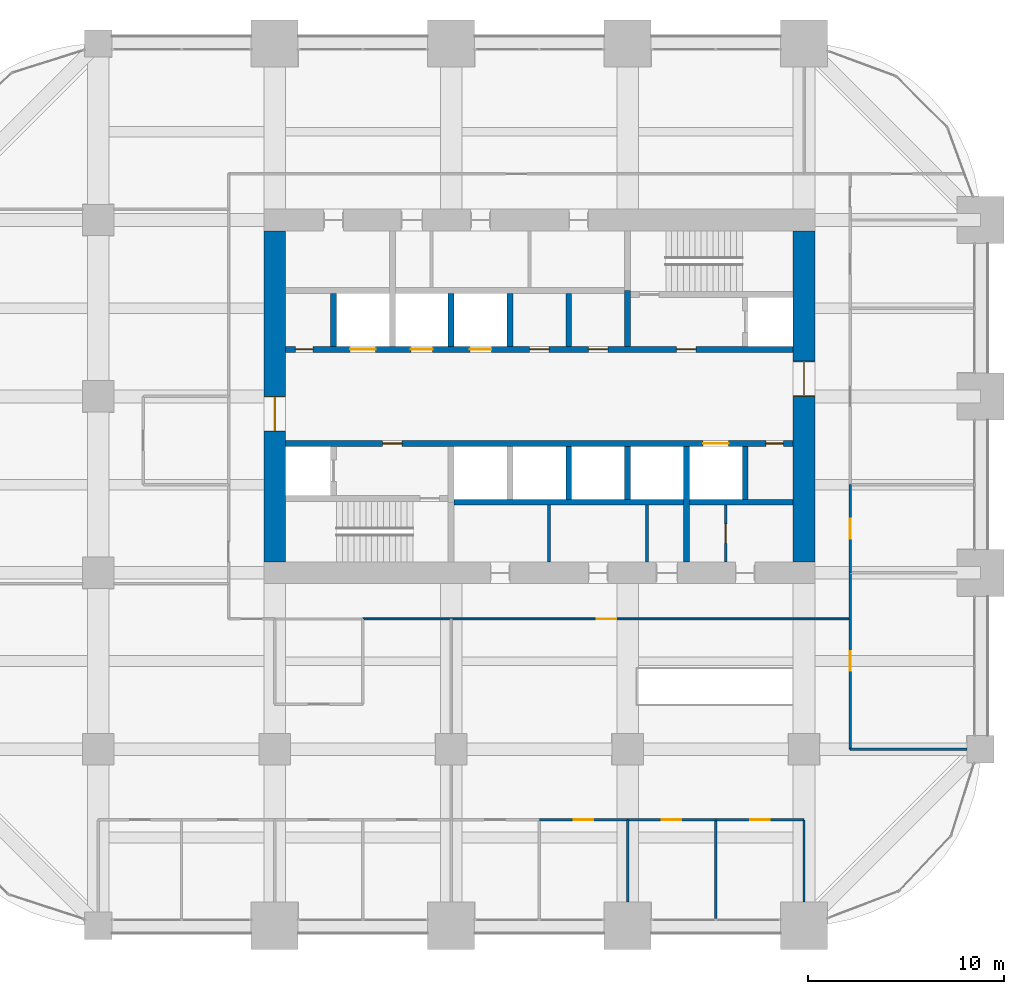
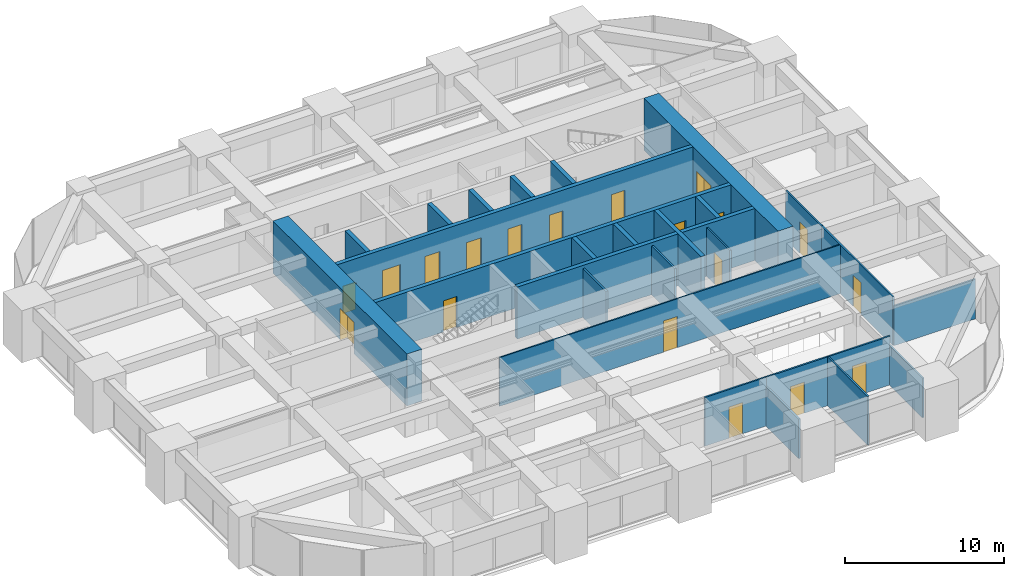
# One storey, part 30 of 33: 27 walls, 19 doors, 19 openings.
"""IFC4 building model written with IfcOpenShell, lengths in metres."""

from ifc_helpers import new_model, si_unit, direction, frame, frame_2d, origin, place, context, subcontext, project, spatial, rectangle, extrude, material, layer, layer_set, type_object, element, fill, save


model = new_model("IFC4")

# Units and contexts
model_context = context("Model", 3, precision=1e-05, world=origin(), true_north=direction((0.0, 1.0)))
body_context = subcontext(model_context, "Body", "Model", "MODEL_VIEW")
ifc_project = project(units=[si_unit("LENGTHUNIT", "METRE"), si_unit("AREAUNIT", "SQUARE_METRE"), si_unit("VOLUMEUNIT", "CUBIC_METRE"), si_unit("PLANEANGLEUNIT", "RADIAN"), si_unit("MASSUNIT", "GRAM", prefix="KILO")], contexts=[model_context])

# Site, building, storey
site_placement = place(None, origin())
site = spatial("IfcSite", under=ifc_project, at=site_placement, CompositionType="ELEMENT")
building_placement = place(site_placement, origin())
building = spatial("IfcBuilding", under=site, at=building_placement, Name="Zorevar Civic Tower", CompositionType="ELEMENT")
storey_placement = place(building_placement, frame((0.0, 0.0, 178.199951171875)))
storey = spatial("IfcBuildingStorey", under=building, at=storey_placement, Name="L43", CompositionType="ELEMENT", Elevation=178.199951171875)

# Wall, opening, door
ifc_material_1 = material(Name="Concrete C50/60", Category="concrete")
ifc_layer_1 = layer(ifc_material_1, 1.10009765625)
ifc_layer_set_1 = layer_set([ifc_layer_1], Name="Core wall 1100")
wall_type_1 = type_object("IfcWallType", Name="Core wall 1100", PredefinedType="SHEAR", material=ifc_layer_set_1)
wall_1_placement = place(storey_placement, frame((18.0, 35.449951171875, 0.0), z_axis=(0.0, 0.0, 1.0), x_axis=(0.0, -1.0, 0.0)))
wall_1 = element("IfcWall", 1, at=wall_1_placement, inside=storey, type_object=wall_type_1, Name="Core wall W L43", PredefinedType="SHEAR", context=body_context, shape_type="SweptSolid", body=[
    extrude(rectangle(XDim=16.89990234375, YDim=1.10009765625, at=frame_2d((8.449951171875, 0.0))), origin(), (0.0, 0.0, 1.0), 4.0),
])
opening_1_placement = place(wall_1_placement, frame((8.449951171875, 0.0, 0.0)))
opening_1 = element("IfcOpeningElement", 2, at=opening_1_placement, cuts=wall_1, Name="Opening L43.01", PredefinedType="OPENING", context=body_context, shape_type="SweptSolid", body=[
    extrude(rectangle(XDim=1.800048828125, YDim=2.39990234375, at=frame_2d((0.89990234375, 1.199951171875))), frame((0.0, 0.56005859375, 0.0), z_axis=(0.0, -1.0, 0.0), x_axis=(1.0, 0.0, 0.0)), (0.0, 0.0, 1.0), 1.1201171875),
])
ifc_material_2 = material(Name="Steel door set", Category="steel")
door_type_1 = type_object("IfcDoorType", Name="Fire door FD2 1800x2400", OperationType="DOUBLE_DOOR_DOUBLE_SWING", PredefinedType="DOOR", material=ifc_material_2)
door_1_placement = place(opening_1_placement, origin())
door_1 = element("IfcDoor", 3, at=door_1_placement, inside=storey, type_object=door_type_1, Name="Door L43 00", OperationType="DOUBLE_DOOR_DOUBLE_SWING", OverallHeight=2.39990234375, OverallWidth=1.800048828125, PredefinedType="DOOR", context=body_context, shape_type="SweptSolid", body=[
    extrude(rectangle(XDim=1.800048828125, YDim=2.39990234375, at=frame_2d((0.89990234375, 1.199951171875))), frame((0.0, 0.030029296875, 0.0), z_axis=(0.0, -1.0, 0.0), x_axis=(1.0, 0.0, 0.0)), (0.0, 0.0, 1.0), 0.06005859375),
    extrude(rectangle(XDim=0.04, YDim=2.39990234375, at=frame_2d((0.02001953125, 1.199951171875))), frame((0.0, 0.5498046875, 0.0), z_axis=(0.0, -1.0, 0.0), x_axis=(1.0, 0.0, 0.0)), (0.0, 0.0, 1.0), 1.099609375),
    extrude(rectangle(XDim=0.04, YDim=2.39990234375, at=frame_2d((1.780029296875, 1.199951171875))), frame((0.0, 0.5498046875, 0.0), z_axis=(0.0, -1.0, 0.0), x_axis=(1.0, 0.0, 0.0)), (0.0, 0.0, 1.0), 1.099609375),
    extrude(rectangle(XDim=1.800048828125, YDim=0.04, at=frame_2d((0.89990234375, 2.3798828125))), frame((0.0, 0.5498046875, 0.0), z_axis=(0.0, -1.0, 0.0), x_axis=(1.0, 0.0, 0.0)), (0.0, 0.0, 1.0), 1.099609375),
])
fill(opening_1, door_1)

wall_2_placement = place(storey_placement, frame((45.0, 18.550048828125, 0.0), z_axis=(0.0, 0.0, 1.0), x_axis=(0.0, 1.0, 0.0)))
wall_2 = element("IfcWall", 4, at=wall_2_placement, inside=storey, type_object=wall_type_1, Name="Core wall E L43", PredefinedType="SHEAR", context=body_context, shape_type="SweptSolid", body=[
    extrude(rectangle(XDim=16.89990234375, YDim=1.10009765625, at=frame_2d((8.449951171875, 0.0))), origin(), (0.0, 0.0, 1.0), 4.0),
])
opening_2_placement = place(wall_2_placement, frame((8.449951171875, 0.0, 0.0)))
opening_2 = element("IfcOpeningElement", 5, at=opening_2_placement, cuts=wall_2, Name="Opening L43.02", PredefinedType="OPENING", context=body_context, shape_type="SweptSolid", body=[
    extrude(rectangle(XDim=1.800048828125, YDim=2.39990234375, at=frame_2d((0.89990234375, 1.199951171875))), frame((0.0, 0.56005859375, 0.0), z_axis=(0.0, -1.0, 0.0), x_axis=(1.0, 0.0, 0.0)), (0.0, 0.0, 1.0), 1.1201171875),
])
door_2_placement = place(opening_2_placement, origin())
door_2 = element("IfcDoor", 6, at=door_2_placement, inside=storey, type_object=door_type_1, Name="Door L43 01", OperationType="DOUBLE_DOOR_DOUBLE_SWING", OverallHeight=2.39990234375, OverallWidth=1.800048828125, PredefinedType="DOOR", context=body_context, shape_type="SweptSolid", body=[
    extrude(rectangle(XDim=1.800048828125, YDim=2.39990234375, at=frame_2d((0.89990234375, 1.199951171875))), frame((0.0, 0.030029296875, 0.0), z_axis=(0.0, -1.0, 0.0), x_axis=(1.0, 0.0, 0.0)), (0.0, 0.0, 1.0), 0.06005859375),
    extrude(rectangle(XDim=0.04, YDim=2.39990234375, at=frame_2d((0.02001953125, 1.199951171875))), frame((0.0, 0.5498046875, 0.0), z_axis=(0.0, -1.0, 0.0), x_axis=(1.0, 0.0, 0.0)), (0.0, 0.0, 1.0), 1.099609375),
    extrude(rectangle(XDim=0.04, YDim=2.39990234375, at=frame_2d((1.780029296875, 1.199951171875))), frame((0.0, 0.5498046875, 0.0), z_axis=(0.0, -1.0, 0.0), x_axis=(1.0, 0.0, 0.0)), (0.0, 0.0, 1.0), 1.099609375),
    extrude(rectangle(XDim=1.800048828125, YDim=0.04, at=frame_2d((0.89990234375, 2.3798828125))), frame((0.0, 0.5498046875, 0.0), z_axis=(0.0, -1.0, 0.0), x_axis=(1.0, 0.0, 0.0)), (0.0, 0.0, 1.0), 1.099609375),
])
fill(opening_2, door_2)

ifc_material_3 = material(Name="Laminated glass in black aluminium frame", Category="aluminium")
ifc_layer_2 = layer(ifc_material_3, 0.10009765625)
ifc_layer_set_2 = layer_set([ifc_layer_2], Name="Glazed partition 100")
wall_type_2 = type_object("IfcWallType", Name="Glazed partition 100", PredefinedType="PARTITIONING", material=ifc_layer_set_2)
wall_3_placement = place(storey_placement, frame((22.5, 15.64990234375, 0.0), z_axis=(0.0, 0.0, 1.0), x_axis=(1.0, 0.0, 0.0)))
wall_3 = element("IfcWall", 7, at=wall_3_placement, inside=storey, type_object=wall_type_2, Name="Glazed partition 100 L43", PredefinedType="PARTITIONING", context=body_context, shape_type="SweptSolid", body=[
    extrude(rectangle(XDim=24.85009765625, YDim=0.10009765625, at=frame_2d((12.425048828125, 0.0))), origin(), (0.0, 0.0, 1.0), 3.75),
])
opening_3_placement = place(wall_3_placement, frame((11.925048828125, 0.0, 0.0)))
opening_3 = element("IfcOpeningElement", 8, at=opening_3_placement, cuts=wall_3, Name="Opening L43.27", PredefinedType="OPENING", context=body_context, shape_type="SweptSolid", body=[
    extrude(rectangle(XDim=1.0, YDim=2.39990234375, at=frame_2d((0.5, 1.199951171875))), frame((0.0, 0.06005859375, 0.0), z_axis=(0.0, -1.0, 0.0), x_axis=(1.0, 0.0, 0.0)), (0.0, 0.0, 1.0), 0.1201171875),
])
ifc_material_4 = material(Name="Timber door set", Category="wood")
door_type_2 = type_object("IfcDoorType", Name="Glazed door GD1 1000x2400", OperationType="SINGLE_SWING_LEFT", PredefinedType="DOOR", material=ifc_material_4)
door_3_placement = place(opening_3_placement, origin())
door_3 = element("IfcDoor", 9, at=door_3_placement, inside=storey, type_object=door_type_2, Name="Door L43 D1", OperationType="SINGLE_SWING_LEFT", OverallHeight=2.39990234375, OverallWidth=1.0, PredefinedType="DOOR", context=body_context, shape_type="SweptSolid", body=[
    extrude(rectangle(XDim=1.0, YDim=2.39990234375, at=frame_2d((0.5, 1.199951171875))), frame((0.0, 0.02001953125, 0.0), z_axis=(0.0, -1.0, 0.0), x_axis=(1.0, 0.0, 0.0)), (0.0, 0.0, 1.0), 0.0400390625),
])
fill(opening_3, door_3)

# Wall, openings, doors
ifc_material_5 = material(Name="Concrete C40/50", Category="concrete")
ifc_layer_3 = layer(ifc_material_5, 0.300048828125)
ifc_layer_set_3 = layer_set([ifc_layer_3], Name="Inner core wall 300")
wall_type_3 = type_object("IfcWallType", Name="Inner core wall 300", PredefinedType="SHEAR", material=ifc_layer_set_3)
wall_4_placement = place(storey_placement, frame((18.550048828125, 24.60009765625, 0.0), z_axis=(0.0, 0.0, 1.0), x_axis=(1.0, 0.0, 0.0)))
wall_4 = element("IfcWall", 10, at=wall_4_placement, inside=storey, type_object=wall_type_3, Name="Inner core wall S03 L43", PredefinedType="SHEAR", context=body_context, shape_type="SweptSolid", body=[
    extrude(rectangle(XDim=25.89990234375, YDim=0.300048828125, at=frame_2d((12.949951171875, 0.0))), origin(), (0.0, 0.0, 1.0), 4.0),
])
opening_4_placement = place(wall_4_placement, frame((4.949951171875, 0.0, 0.0)))
opening_4 = element("IfcOpeningElement", 11, at=opening_4_placement, cuts=wall_4, Name="Opening L43.13", PredefinedType="OPENING", context=body_context, shape_type="SweptSolid", body=[
    extrude(rectangle(XDim=1.0, YDim=2.39990234375, at=frame_2d((0.5, 1.199951171875))), frame((0.0, 0.159912109375, 0.0), z_axis=(0.0, -1.0, 0.0), x_axis=(1.0, 0.0, 0.0)), (0.0, 0.0, 1.0), 0.320068359375),
])
opening_5_placement = place(wall_4_placement, frame((24.5, 0.0, 0.0)))
opening_5 = element("IfcOpeningElement", 12, at=opening_5_placement, cuts=wall_4, Name="Opening L43.15", PredefinedType="OPENING", context=body_context, shape_type="SweptSolid", body=[
    extrude(rectangle(XDim=0.89990234375, YDim=2.10009765625, at=frame_2d((0.449951171875, 1.050048828125))), frame((0.0, 0.159912109375, 0.0), z_axis=(0.0, -1.0, 0.0), x_axis=(1.0, 0.0, 0.0)), (0.0, 0.0, 1.0), 0.320068359375),
])
opening_6_placement = place(wall_4_placement, frame((21.300048828125, 0.0, 0.0)))
opening_6 = element("IfcOpeningElement", 13, at=opening_6_placement, cuts=wall_4, Name="Opening L43.SL1", PredefinedType="OPENING", context=body_context, shape_type="SweptSolid", body=[
    extrude(rectangle(XDim=1.300048828125, YDim=2.39990234375, at=frame_2d((0.64990234375, 1.199951171875))), frame((0.0, 0.159912109375, 0.0), z_axis=(0.0, -1.0, 0.0), x_axis=(1.0, 0.0, 0.0)), (0.0, 0.0, 1.0), 0.320068359375),
])
ifc_material_6 = material(Name="Steel door set", Category="steel")
door_type_3 = type_object("IfcDoorType", Name="Fire door FD1 1000x2400", OperationType="SINGLE_SWING_LEFT", PredefinedType="DOOR", material=ifc_material_6)
door_4_placement = place(opening_4_placement, origin())
door_4 = element("IfcDoor", 14, at=door_4_placement, inside=storey, type_object=door_type_3, Name="Door L43 12", OperationType="SINGLE_SWING_RIGHT", OverallHeight=2.39990234375, OverallWidth=1.0, PredefinedType="DOOR", context=body_context, shape_type="SweptSolid", body=[
    extrude(rectangle(XDim=1.0, YDim=2.39990234375, at=frame_2d((0.5, 1.199951171875))), frame((0.0, 0.030029296875, 0.0), z_axis=(0.0, -1.0, 0.0), x_axis=(1.0, 0.0, 0.0)), (0.0, 0.0, 1.0), 0.06005859375),
])
fill(opening_4, door_4)
ifc_material_7 = material(Name="Steel door set", Category="steel")
door_type_4 = type_object("IfcDoorType", Name="Landing door LD2 1300x2400", OperationType="DOUBLE_DOOR_SLIDING", PredefinedType="DOOR", material=ifc_material_7)
door_5_placement = place(opening_6_placement, origin())
door_5 = element("IfcDoor", 15, at=door_5_placement, inside=storey, type_object=door_type_4, Name="Landing door SL1 L43", OperationType="DOUBLE_DOOR_SLIDING", OverallHeight=2.39990234375, OverallWidth=1.300048828125, PredefinedType="DOOR", context=body_context, shape_type="SweptSolid", body=[
    extrude(rectangle(XDim=1.300048828125, YDim=2.39990234375, at=frame_2d((0.64990234375, 1.199951171875))), frame((0.0, 0.02001953125, 0.0), z_axis=(0.0, -1.0, 0.0), x_axis=(1.0, 0.0, 0.0)), (0.0, 0.0, 1.0), 0.0400390625),
])
fill(opening_6, door_5)
ifc_material_8 = material(Name="Steel door set", Category="steel")
door_type_5 = type_object("IfcDoorType", Name="Riser door RD1 900x2100", OperationType="SINGLE_SWING_LEFT", PredefinedType="DOOR", material=ifc_material_8)
door_6_placement = place(opening_5_placement, origin())
door_6 = element("IfcDoor", 16, at=door_6_placement, inside=storey, type_object=door_type_5, Name="Door L43 14", OperationType="SINGLE_SWING_RIGHT", OverallHeight=2.10009765625, OverallWidth=0.89990234375, PredefinedType="DOOR", context=body_context, shape_type="SweptSolid", body=[
    extrude(rectangle(XDim=0.89990234375, YDim=2.10009765625, at=frame_2d((0.449951171875, 1.050048828125))), frame((0.0, 0.030029296875, 0.0), z_axis=(0.0, -1.0, 0.0), x_axis=(1.0, 0.0, 0.0)), (0.0, 0.0, 1.0), 0.06005859375),
])
fill(opening_5, door_6)

wall_5_placement = place(storey_placement, frame((18.550048828125, 29.39990234375, 0.0), z_axis=(0.0, 0.0, 1.0), x_axis=(1.0, 0.0, 0.0)))
wall_5 = element("IfcWall", 17, at=wall_5_placement, inside=storey, type_object=wall_type_3, Name="Inner core wall N03 L43", PredefinedType="SHEAR", context=body_context, shape_type="SweptSolid", body=[
    extrude(rectangle(XDim=25.89990234375, YDim=0.300048828125, at=frame_2d((12.949951171875, 0.0))), origin(), (0.0, 0.0, 1.0), 4.0),
])
opening_7_placement = place(wall_5_placement, frame((19.949951171875, 0.0, 0.0)))
opening_7 = element("IfcOpeningElement", 18, at=opening_7_placement, cuts=wall_5, Name="Opening L43.14", PredefinedType="OPENING", context=body_context, shape_type="SweptSolid", body=[
    extrude(rectangle(XDim=1.0, YDim=2.39990234375, at=frame_2d((0.5, 1.199951171875))), frame((0.0, 0.159912109375, 0.0), z_axis=(0.0, -1.0, 0.0), x_axis=(1.0, 0.0, 0.0)), (0.0, 0.0, 1.0), 0.320068359375),
])
opening_8_placement = place(wall_5_placement, frame((0.5, 0.0, 0.0)))
opening_8 = element("IfcOpeningElement", 19, at=opening_8_placement, cuts=wall_5, Name="Opening L43.16", PredefinedType="OPENING", context=body_context, shape_type="SweptSolid", body=[
    extrude(rectangle(XDim=0.89990234375, YDim=2.10009765625, at=frame_2d((0.449951171875, 1.050048828125))), frame((0.0, 0.159912109375, 0.0), z_axis=(0.0, -1.0, 0.0), x_axis=(1.0, 0.0, 0.0)), (0.0, 0.0, 1.0), 0.320068359375),
])
opening_9_placement = place(wall_5_placement, frame((15.449951171875, 0.0, 0.0)))
opening_9 = element("IfcOpeningElement", 20, at=opening_9_placement, cuts=wall_5, Name="Opening L43.38", PredefinedType="OPENING", context=body_context, shape_type="SweptSolid", body=[
    extrude(rectangle(XDim=1.0, YDim=2.39990234375, at=frame_2d((0.5, 1.199951171875))), frame((0.0, 0.159912109375, 0.0), z_axis=(0.0, -1.0, 0.0), x_axis=(1.0, 0.0, 0.0)), (0.0, 0.0, 1.0), 0.320068359375),
])
opening_10_placement = place(wall_5_placement, frame((12.449951171875, 0.0, 0.0)))
opening_10 = element("IfcOpeningElement", 21, at=opening_10_placement, cuts=wall_5, Name="Opening L43.39", PredefinedType="OPENING", context=body_context, shape_type="SweptSolid", body=[
    extrude(rectangle(XDim=1.0, YDim=2.39990234375, at=frame_2d((0.5, 1.199951171875))), frame((0.0, 0.159912109375, 0.0), z_axis=(0.0, -1.0, 0.0), x_axis=(1.0, 0.0, 0.0)), (0.0, 0.0, 1.0), 0.320068359375),
])
opening_11_placement = place(wall_5_placement, frame((9.39990234375, 0.0, 0.0)))
opening_11 = element("IfcOpeningElement", 22, at=opening_11_placement, cuts=wall_5, Name="Opening L43.LH1", PredefinedType="OPENING", context=body_context, shape_type="SweptSolid", body=[
    extrude(rectangle(XDim=1.10009765625, YDim=2.39990234375, at=frame_2d((0.550048828125, 1.199951171875))), frame((0.0, 0.159912109375, 0.0), z_axis=(0.0, -1.0, 0.0), x_axis=(1.0, 0.0, 0.0)), (0.0, 0.0, 1.0), 0.320068359375),
])
opening_12_placement = place(wall_5_placement, frame((6.39990234375, 0.0, 0.0)))
opening_12 = element("IfcOpeningElement", 23, at=opening_12_placement, cuts=wall_5, Name="Opening L43.LH2", PredefinedType="OPENING", context=body_context, shape_type="SweptSolid", body=[
    extrude(rectangle(XDim=1.10009765625, YDim=2.39990234375, at=frame_2d((0.550048828125, 1.199951171875))), frame((0.0, 0.159912109375, 0.0), z_axis=(0.0, -1.0, 0.0), x_axis=(1.0, 0.0, 0.0)), (0.0, 0.0, 1.0), 0.320068359375),
])
opening_13_placement = place(wall_5_placement, frame((3.300048828125, 0.0, 0.0)))
opening_13 = element("IfcOpeningElement", 24, at=opening_13_placement, cuts=wall_5, Name="Opening L43.SL2", PredefinedType="OPENING", context=body_context, shape_type="SweptSolid", body=[
    extrude(rectangle(XDim=1.300048828125, YDim=2.39990234375, at=frame_2d((0.64990234375, 1.199951171875))), frame((0.0, 0.159912109375, 0.0), z_axis=(0.0, -1.0, 0.0), x_axis=(1.0, 0.0, 0.0)), (0.0, 0.0, 1.0), 0.320068359375),
])
door_7_placement = place(opening_7_placement, origin())
door_7 = element("IfcDoor", 25, at=door_7_placement, inside=storey, type_object=door_type_3, Name="Door L43 13", OperationType="SINGLE_SWING_RIGHT", OverallHeight=2.39990234375, OverallWidth=1.0, PredefinedType="DOOR", context=body_context, shape_type="SweptSolid", body=[
    extrude(rectangle(XDim=1.0, YDim=2.39990234375, at=frame_2d((0.5, 1.199951171875))), frame((0.0, 0.030029296875, 0.0), z_axis=(0.0, -1.0, 0.0), x_axis=(1.0, 0.0, 0.0)), (0.0, 0.0, 1.0), 0.06005859375),
])
fill(opening_7, door_7)
door_8_placement = place(opening_9_placement, origin())
door_8 = element("IfcDoor", 26, at=door_8_placement, inside=storey, type_object=door_type_3, Name="Door L43 LM1 shaft room", OperationType="SINGLE_SWING_LEFT", OverallHeight=2.39990234375, OverallWidth=1.0, PredefinedType="DOOR", context=body_context, shape_type="SweptSolid", body=[
    extrude(rectangle(XDim=1.0, YDim=2.39990234375, at=frame_2d((0.5, 1.199951171875))), frame((0.0, 0.030029296875, 0.0), z_axis=(0.0, -1.0, 0.0), x_axis=(1.0, 0.0, 0.0)), (0.0, 0.0, 1.0), 0.06005859375),
])
fill(opening_9, door_8)
door_9_placement = place(opening_10_placement, origin())
door_9 = element("IfcDoor", 27, at=door_9_placement, inside=storey, type_object=door_type_3, Name="Door L43 LM2 shaft room", OperationType="SINGLE_SWING_RIGHT", OverallHeight=2.39990234375, OverallWidth=1.0, PredefinedType="DOOR", context=body_context, shape_type="SweptSolid", body=[
    extrude(rectangle(XDim=1.0, YDim=2.39990234375, at=frame_2d((0.5, 1.199951171875))), frame((0.0, 0.030029296875, 0.0), z_axis=(0.0, -1.0, 0.0), x_axis=(1.0, 0.0, 0.0)), (0.0, 0.0, 1.0), 0.06005859375),
])
fill(opening_10, door_9)
ifc_material_9 = material(Name="Steel door set", Category="steel")
door_type_6 = type_object("IfcDoorType", Name="Landing door LD1 1100x2400", OperationType="DOUBLE_DOOR_SLIDING", PredefinedType="DOOR", material=ifc_material_9)
door_10_placement = place(opening_11_placement, origin())
door_10 = element("IfcDoor", 28, at=door_10_placement, inside=storey, type_object=door_type_6, Name="Landing door LH1 L43", OperationType="DOUBLE_DOOR_SLIDING", OverallHeight=2.39990234375, OverallWidth=1.10009765625, PredefinedType="DOOR", context=body_context, shape_type="SweptSolid", body=[
    extrude(rectangle(XDim=1.10009765625, YDim=2.39990234375, at=frame_2d((0.550048828125, 1.199951171875))), frame((0.0, 0.02001953125, 0.0), z_axis=(0.0, -1.0, 0.0), x_axis=(1.0, 0.0, 0.0)), (0.0, 0.0, 1.0), 0.0400390625),
])
fill(opening_11, door_10)
door_11_placement = place(opening_12_placement, origin())
door_11 = element("IfcDoor", 29, at=door_11_placement, inside=storey, type_object=door_type_6, Name="Landing door LH2 L43", OperationType="DOUBLE_DOOR_SLIDING", OverallHeight=2.39990234375, OverallWidth=1.10009765625, PredefinedType="DOOR", context=body_context, shape_type="SweptSolid", body=[
    extrude(rectangle(XDim=1.10009765625, YDim=2.39990234375, at=frame_2d((0.550048828125, 1.199951171875))), frame((0.0, 0.02001953125, 0.0), z_axis=(0.0, -1.0, 0.0), x_axis=(1.0, 0.0, 0.0)), (0.0, 0.0, 1.0), 0.0400390625),
])
fill(opening_12, door_11)
door_12_placement = place(opening_13_placement, origin())
door_12 = element("IfcDoor", 30, at=door_12_placement, inside=storey, type_object=door_type_4, Name="Landing door SL2 L43", OperationType="DOUBLE_DOOR_SLIDING", OverallHeight=2.39990234375, OverallWidth=1.300048828125, PredefinedType="DOOR", context=body_context, shape_type="SweptSolid", body=[
    extrude(rectangle(XDim=1.300048828125, YDim=2.39990234375, at=frame_2d((0.64990234375, 1.199951171875))), frame((0.0, 0.02001953125, 0.0), z_axis=(0.0, -1.0, 0.0), x_axis=(1.0, 0.0, 0.0)), (0.0, 0.0, 1.0), 0.0400390625),
])
fill(opening_13, door_12)
door_13_placement = place(opening_8_placement, origin())
door_13 = element("IfcDoor", 31, at=door_13_placement, inside=storey, type_object=door_type_5, Name="Door L43 15", OperationType="SINGLE_SWING_RIGHT", OverallHeight=2.10009765625, OverallWidth=0.89990234375, PredefinedType="DOOR", context=body_context, shape_type="SweptSolid", body=[
    extrude(rectangle(XDim=0.89990234375, YDim=2.10009765625, at=frame_2d((0.449951171875, 1.050048828125))), frame((0.0, 0.030029296875, 0.0), z_axis=(0.0, -1.0, 0.0), x_axis=(1.0, 0.0, 0.0)), (0.0, 0.0, 1.0), 0.06005859375),
])
fill(opening_8, door_13)

# Walls
wall_6_placement = place(storey_placement, frame((27.14990234375, 21.60009765625, 0.0), z_axis=(0.0, 0.0, 1.0), x_axis=(1.0, 0.0, 0.0)))
element("IfcWall", 32, at=wall_6_placement, inside=storey, type_object=wall_type_3, Name="Inner core wall S04 L43", PredefinedType="SHEAR", context=body_context, shape_type="SweptSolid", body=[
    extrude(rectangle(XDim=17.300048828125, YDim=0.300048828125, at=frame_2d((8.64990234375, 0.0))), origin(), (0.0, 0.0, 1.0), 4.0),
])
for number, where, z_axis, x_axis, name in (
    (33, (33.0, 29.550048828125, 0.0), (0.0, 0.0, 1.0), (0.0, 1.0, 0.0), "Inner core wall N05 L43"),
    (34, (33.0, 21.75, 0.0), (0.0, 0.0, 1.0), (0.0, 1.0, 0.0), "Inner core wall S06 L43"),
    (35, (30.0, 29.550048828125, 0.0), (0.0, 0.0, 1.0), (0.0, 1.0, 0.0), "Inner core wall N06 L43"),
    (36, (36.0, 21.75, 0.0), (0.0, 0.0, 1.0), (0.0, 1.0, 0.0), "Inner core wall S07 L43"),
    (37, (27.0, 29.550048828125, 0.0), (0.0, 0.0, 1.0), (0.0, 1.0, 0.0), "Inner core wall N07 L43"),
):
    element("IfcWall", number, at=place(storey_placement, frame(where, z_axis=z_axis, x_axis=x_axis)), inside=storey, type_object=wall_type_3, Name=name, PredefinedType="SHEAR", context=body_context, shape_type="SweptSolid", body=[
        extrude(rectangle(XDim=2.699951171875, YDim=0.300048828125, at=frame_2d((1.35009765625, 0.0))), origin(), (0.0, 0.0, 1.0), 4.0),
    ])
wall_7_placement = place(storey_placement, frame((39.0, 18.550048828125, 0.0), z_axis=(0.0, 0.0, 1.0), x_axis=(0.0, 1.0, 0.0)))
element("IfcWall", 38, at=wall_7_placement, inside=storey, type_object=wall_type_3, Name="Inner core wall S08 L43", PredefinedType="SHEAR", context=body_context, shape_type="SweptSolid", body=[
    extrude(rectangle(XDim=5.89990234375, YDim=0.300048828125, at=frame_2d((2.949951171875, 0.0))), origin(), (0.0, 0.0, 1.0), 4.0),
])
for number, where, z_axis, x_axis, name in (
    (39, (42.0, 21.75, 0.0), (0.0, 0.0, 1.0), (0.0, 1.0, 0.0), "Inner core wall S09 L43"),
    (40, (21.0, 29.550048828125, 0.0), (0.0, 0.0, 1.0), (0.0, 1.0, 0.0), "Inner core wall N09 L43"),
):
    element("IfcWall", number, at=place(storey_placement, frame(where, z_axis=z_axis, x_axis=x_axis)), inside=storey, type_object=wall_type_3, Name=name, PredefinedType="SHEAR", context=body_context, shape_type="SweptSolid", body=[
        extrude(rectangle(XDim=2.699951171875, YDim=0.300048828125, at=frame_2d((1.35009765625, 0.0))), origin(), (0.0, 0.0, 1.0), 4.0),
    ])
wall_8_placement = place(storey_placement, frame((36.0, 29.550048828125, 0.0), z_axis=(0.0, 0.0, 1.0), x_axis=(0.0, 1.0, 0.0)))
element("IfcWall", 41, at=wall_8_placement, inside=storey, type_object=wall_type_3, Name="Inner core wall N10 L43", PredefinedType="SHEAR", context=body_context, shape_type="SweptSolid", body=[
    extrude(rectangle(XDim=2.849853515625, YDim=0.300048828125, at=frame_2d((1.4248046875, 0.0))), origin(), (0.0, 0.0, 1.0), 4.0),
])

# Wall, opening, door
ifc_material_10 = material(Name="Gypsum board on steel studs", Category="steel")
ifc_layer_4 = layer(ifc_material_10, 0.1201171875)
ifc_layer_set_4 = layer_set([ifc_layer_4], Name="Partition 120")
wall_type_4 = type_object("IfcWallType", Name="Partition 120", PredefinedType="PARTITIONING", material=ifc_layer_set_4)
wall_9_placement = place(storey_placement, frame((31.5, 5.39990234375, 0.0), z_axis=(0.0, 0.0, 1.0), x_axis=(1.0, 0.0, 0.0)))
wall_9 = element("IfcWall", 42, at=wall_9_placement, inside=storey, type_object=wall_type_4, Name="Partition 120 L43", PredefinedType="PARTITIONING", context=body_context, shape_type="SweptSolid", body=[
    extrude(rectangle(XDim=4.5, YDim=0.1201171875, at=frame_2d((2.25, 0.0))), origin(), (0.0, 0.0, 1.0), 3.75),
])
opening_14_placement = place(wall_9_placement, frame((1.75, 0.0, 0.0)))
opening_14 = element("IfcOpeningElement", 43, at=opening_14_placement, cuts=wall_9, Name="Opening L43.22", PredefinedType="OPENING", context=body_context, shape_type="SweptSolid", body=[
    extrude(rectangle(XDim=1.0, YDim=2.39990234375, at=frame_2d((0.5, 1.199951171875))), frame((0.0, 0.070068359375, 0.0), z_axis=(0.0, -1.0, 0.0), x_axis=(1.0, 0.0, 0.0)), (0.0, 0.0, 1.0), 0.14013671875),
])
ifc_material_11 = material(Name="Timber door set", Category="wood")
door_type_7 = type_object("IfcDoorType", Name="Door D1 1000x2400", OperationType="SINGLE_SWING_LEFT", PredefinedType="DOOR", material=ifc_material_11)
door_14_placement = place(opening_14_placement, origin())
door_14 = element("IfcDoor", 44, at=door_14_placement, inside=storey, type_object=door_type_7, Name="Door L43 D1", OperationType="SINGLE_SWING_RIGHT", OverallHeight=2.39990234375, OverallWidth=1.0, PredefinedType="DOOR", context=body_context, shape_type="SweptSolid", body=[
    extrude(rectangle(XDim=1.0, YDim=2.39990234375, at=frame_2d((0.5, 1.199951171875))), frame((0.0, 0.02490234375, 0.0), z_axis=(0.0, -1.0, 0.0), x_axis=(1.0, 0.0, 0.0)), (0.0, 0.0, 1.0), 0.050048828125),
])
fill(opening_14, door_14)

wall_10_placement = place(storey_placement, frame((36.0, 5.39990234375, 0.0), z_axis=(0.0, 0.0, 1.0), x_axis=(1.0, 0.0, 0.0)))
wall_10 = element("IfcWall", 45, at=wall_10_placement, inside=storey, type_object=wall_type_4, Name="Partition 120 L43", PredefinedType="PARTITIONING", context=body_context, shape_type="SweptSolid", body=[
    extrude(rectangle(XDim=4.5, YDim=0.1201171875, at=frame_2d((2.25, 0.0))), origin(), (0.0, 0.0, 1.0), 3.75),
])
opening_15_placement = place(wall_10_placement, frame((1.75, 0.0, 0.0)))
opening_15 = element("IfcOpeningElement", 46, at=opening_15_placement, cuts=wall_10, Name="Opening L43.23", PredefinedType="OPENING", context=body_context, shape_type="SweptSolid", body=[
    extrude(rectangle(XDim=1.0, YDim=2.39990234375, at=frame_2d((0.5, 1.199951171875))), frame((0.0, 0.070068359375, 0.0), z_axis=(0.0, -1.0, 0.0), x_axis=(1.0, 0.0, 0.0)), (0.0, 0.0, 1.0), 0.14013671875),
])
door_15_placement = place(opening_15_placement, origin())
door_15 = element("IfcDoor", 47, at=door_15_placement, inside=storey, type_object=door_type_7, Name="Door L43 D1", OperationType="SINGLE_SWING_RIGHT", OverallHeight=2.39990234375, OverallWidth=1.0, PredefinedType="DOOR", context=body_context, shape_type="SweptSolid", body=[
    extrude(rectangle(XDim=1.0, YDim=2.39990234375, at=frame_2d((0.5, 1.199951171875))), frame((0.0, 0.02490234375, 0.0), z_axis=(0.0, -1.0, 0.0), x_axis=(1.0, 0.0, 0.0)), (0.0, 0.0, 1.0), 0.050048828125),
])
fill(opening_15, door_15)

wall_11_placement = place(storey_placement, frame((40.5, 5.39990234375, 0.0), z_axis=(0.0, 0.0, 1.0), x_axis=(1.0, 0.0, 0.0)))
wall_11 = element("IfcWall", 48, at=wall_11_placement, inside=storey, type_object=wall_type_4, Name="Partition 120 L43", PredefinedType="PARTITIONING", context=body_context, shape_type="SweptSolid", body=[
    extrude(rectangle(XDim=4.5, YDim=0.1201171875, at=frame_2d((2.25, 0.0))), origin(), (0.0, 0.0, 1.0), 3.75),
])
opening_16_placement = place(wall_11_placement, frame((1.75, 0.0, 0.0)))
opening_16 = element("IfcOpeningElement", 49, at=opening_16_placement, cuts=wall_11, Name="Opening L43.24", PredefinedType="OPENING", context=body_context, shape_type="SweptSolid", body=[
    extrude(rectangle(XDim=1.0, YDim=2.39990234375, at=frame_2d((0.5, 1.199951171875))), frame((0.0, 0.070068359375, 0.0), z_axis=(0.0, -1.0, 0.0), x_axis=(1.0, 0.0, 0.0)), (0.0, 0.0, 1.0), 0.14013671875),
])
door_16_placement = place(opening_16_placement, origin())
door_16 = element("IfcDoor", 50, at=door_16_placement, inside=storey, type_object=door_type_7, Name="Door L43 D1", OperationType="SINGLE_SWING_LEFT", OverallHeight=2.39990234375, OverallWidth=1.0, PredefinedType="DOOR", context=body_context, shape_type="SweptSolid", body=[
    extrude(rectangle(XDim=1.0, YDim=2.39990234375, at=frame_2d((0.5, 1.199951171875))), frame((0.0, 0.02490234375, 0.0), z_axis=(0.0, -1.0, 0.0), x_axis=(1.0, 0.0, 0.0)), (0.0, 0.0, 1.0), 0.050048828125),
])
fill(opening_16, door_16)

# Walls
wall_12_placement = place(storey_placement, frame((47.35009765625, 9.0, 0.0), z_axis=(0.0, 0.0, 1.0), x_axis=(1.0, 0.0, 0.0)))
element("IfcWall", 51, at=wall_12_placement, inside=storey, type_object=wall_type_4, Name="Partition 120 L43", PredefinedType="PARTITIONING", context=body_context, shape_type="SweptSolid", body=[
    extrude(rectangle(XDim=5.949951171875, YDim=0.1201171875, at=frame_2d((2.97509765625, 0.0))), origin(), (0.0, 0.0, 1.0), 3.050048828125),
])
wall_13_placement = place(storey_placement, frame((36.0, 1.199951171875, 0.0), z_axis=(0.0, 0.0, 1.0), x_axis=(0.0, 1.0, 0.0)))
element("IfcWall", 52, at=wall_13_placement, inside=storey, type_object=wall_type_4, Name="Partition 120 L43", PredefinedType="PARTITIONING", context=body_context, shape_type="SweptSolid", body=[
    extrude(rectangle(XDim=4.199951171875, YDim=0.1201171875, at=frame_2d((2.10009765625, 0.0))), origin(), (0.0, 0.0, 1.0), 3.050048828125),
])
wall_14_placement = place(storey_placement, frame((40.5, 0.31005859375, 0.0), z_axis=(0.0, 0.0, 1.0), x_axis=(0.0, 1.0, 0.0)))
element("IfcWall", 53, at=wall_14_placement, inside=storey, type_object=wall_type_4, Name="Partition 120 L43", PredefinedType="PARTITIONING", context=body_context, shape_type="SweptSolid", body=[
    extrude(rectangle(XDim=5.08984375, YDim=0.1201171875, at=frame_2d((2.544921875, 0.0))), origin(), (0.0, 0.0, 1.0), 3.75),
])
wall_15_placement = place(storey_placement, frame((45.0, 1.199951171875, 0.0), z_axis=(0.0, 0.0, 1.0), x_axis=(0.0, 1.0, 0.0)))
element("IfcWall", 54, at=wall_15_placement, inside=storey, type_object=wall_type_4, Name="Partition 120 L43", PredefinedType="PARTITIONING", context=body_context, shape_type="SweptSolid", body=[
    extrude(rectangle(XDim=4.199951171875, YDim=0.1201171875, at=frame_2d((2.10009765625, 0.0))), origin(), (0.0, 0.0, 1.0), 3.050048828125),
])

# Wall, opening, door
wall_16_placement = place(storey_placement, frame((47.35009765625, 9.0, 0.0), z_axis=(0.0, 0.0, 1.0), x_axis=(0.0, 1.0, 0.0)))
wall_16 = element("IfcWall", 55, at=wall_16_placement, inside=storey, type_object=wall_type_4, Name="Partition 120 L43", PredefinedType="PARTITIONING", context=body_context, shape_type="SweptSolid", body=[
    extrude(rectangle(XDim=9.0, YDim=0.1201171875, at=frame_2d((4.5, 0.0))), origin(), (0.0, 0.0, 1.0), 3.75),
])
opening_17_placement = place(wall_16_placement, frame((4.0, 0.0, 0.0)))
opening_17 = element("IfcOpeningElement", 56, at=opening_17_placement, cuts=wall_16, Name="Opening L43.32", PredefinedType="OPENING", context=body_context, shape_type="SweptSolid", body=[
    extrude(rectangle(XDim=1.0, YDim=2.39990234375, at=frame_2d((0.5, 1.199951171875))), frame((0.0, 0.070068359375, 0.0), z_axis=(0.0, -1.0, 0.0), x_axis=(1.0, 0.0, 0.0)), (0.0, 0.0, 1.0), 0.14013671875),
])
door_17_placement = place(opening_17_placement, origin())
door_17 = element("IfcDoor", 57, at=door_17_placement, inside=storey, type_object=door_type_7, Name="Door L43 D1", OperationType="SINGLE_SWING_LEFT", OverallHeight=2.39990234375, OverallWidth=1.0, PredefinedType="DOOR", context=body_context, shape_type="SweptSolid", body=[
    extrude(rectangle(XDim=1.0, YDim=2.39990234375, at=frame_2d((0.5, 1.199951171875))), frame((0.0, 0.02490234375, 0.0), z_axis=(0.0, -1.0, 0.0), x_axis=(1.0, 0.0, 0.0)), (0.0, 0.0, 1.0), 0.050048828125),
])
fill(opening_17, door_17)

wall_17_placement = place(storey_placement, frame((47.35009765625, 18.0, 0.0), z_axis=(0.0, 0.0, 1.0), x_axis=(0.0, 1.0, 0.0)))
wall_17 = element("IfcWall", 58, at=wall_17_placement, inside=storey, type_object=wall_type_4, Name="Partition 120 L43", PredefinedType="PARTITIONING", context=body_context, shape_type="SweptSolid", body=[
    extrude(rectangle(XDim=4.5, YDim=0.1201171875, at=frame_2d((2.25, 0.0))), origin(), (0.0, 0.0, 1.0), 3.75),
])
opening_18_placement = place(wall_17_placement, frame((1.75, 0.0, 0.0)))
opening_18 = element("IfcOpeningElement", 59, at=opening_18_placement, cuts=wall_17, Name="Opening L43.33", PredefinedType="OPENING", context=body_context, shape_type="SweptSolid", body=[
    extrude(rectangle(XDim=1.0, YDim=2.39990234375, at=frame_2d((0.5, 1.199951171875))), frame((0.0, 0.070068359375, 0.0), z_axis=(0.0, -1.0, 0.0), x_axis=(1.0, 0.0, 0.0)), (0.0, 0.0, 1.0), 0.14013671875),
])
door_18_placement = place(opening_18_placement, origin())
door_18 = element("IfcDoor", 60, at=door_18_placement, inside=storey, type_object=door_type_7, Name="Door L43 D1", OperationType="SINGLE_SWING_RIGHT", OverallHeight=2.39990234375, OverallWidth=1.0, PredefinedType="DOOR", context=body_context, shape_type="SweptSolid", body=[
    extrude(rectangle(XDim=1.0, YDim=2.39990234375, at=frame_2d((0.5, 1.199951171875))), frame((0.0, 0.02490234375, 0.0), z_axis=(0.0, -1.0, 0.0), x_axis=(1.0, 0.0, 0.0)), (0.0, 0.0, 1.0), 0.050048828125),
])
fill(opening_18, door_18)

wall_18_placement = place(storey_placement, frame((41.0, 18.550048828125, 0.0), z_axis=(0.0, 0.0, 1.0), x_axis=(0.0, 1.0, 0.0)))
wall_18 = element("IfcWall", 61, at=wall_18_placement, inside=storey, type_object=wall_type_4, Name="Partition L43", PredefinedType="PARTITIONING", context=body_context, shape_type="SweptSolid", body=[
    extrude(rectangle(XDim=2.89990234375, YDim=0.1201171875, at=frame_2d((1.449951171875, 0.0))), origin(), (0.0, 0.0, 1.0), 3.75),
])
opening_19_placement = place(wall_18_placement, frame((0.949951171875, 0.0, 0.0)))
opening_19 = element("IfcOpeningElement", 62, at=opening_19_placement, cuts=wall_18, Name="Opening L43.37", PredefinedType="OPENING", context=body_context, shape_type="SweptSolid", body=[
    extrude(rectangle(XDim=1.0, YDim=2.39990234375, at=frame_2d((0.5, 1.199951171875))), frame((0.0, 0.070068359375, 0.0), z_axis=(0.0, -1.0, 0.0), x_axis=(1.0, 0.0, 0.0)), (0.0, 0.0, 1.0), 0.14013671875),
])
door_19_placement = place(opening_19_placement, origin())
door_19 = element("IfcDoor", 63, at=door_19_placement, inside=storey, type_object=door_type_3, Name="Door L43 ES", OperationType="SINGLE_SWING_RIGHT", OverallHeight=2.39990234375, OverallWidth=1.0, PredefinedType="DOOR", context=body_context, shape_type="SweptSolid", body=[
    extrude(rectangle(XDim=1.0, YDim=2.39990234375, at=frame_2d((0.5, 1.199951171875))), frame((0.0, 0.030029296875, 0.0), z_axis=(0.0, -1.0, 0.0), x_axis=(1.0, 0.0, 0.0)), (0.0, 0.0, 1.0), 0.06005859375),
])
fill(opening_19, door_19)

# Walls
ifc_material_12 = material(Name="Gypsum board on steel studs, moisture resistant", Category="steel")
ifc_layer_5 = layer(ifc_material_12, 0.14990234375)
ifc_layer_set_5 = layer_set([ifc_layer_5], Name="WC partition 150")
wall_type_5 = type_object("IfcWallType", Name="WC partition 150", PredefinedType="PARTITIONING", material=ifc_layer_set_5)
for number, where, z_axis, x_axis, name in (
    (64, (32.0, 18.550048828125, 0.0), (0.0, 0.0, 1.0), (0.0, 1.0, 0.0), "WC partition L43"),
    (65, (37.0, 18.550048828125, 0.0), (0.0, 0.0, 1.0), (0.0, 1.0, 0.0), "WC partition L43"),
):
    element("IfcWall", number, at=place(storey_placement, frame(where, z_axis=z_axis, x_axis=x_axis)), inside=storey, type_object=wall_type_5, Name=name, PredefinedType="PARTITIONING", context=body_context, shape_type="SweptSolid", body=[
        extrude(rectangle(XDim=2.89990234375, YDim=0.14990234375, at=frame_2d((1.449951171875, 0.0))), origin(), (0.0, 0.0, 1.0), 3.75),
    ])

save(model, "model.ifc")
